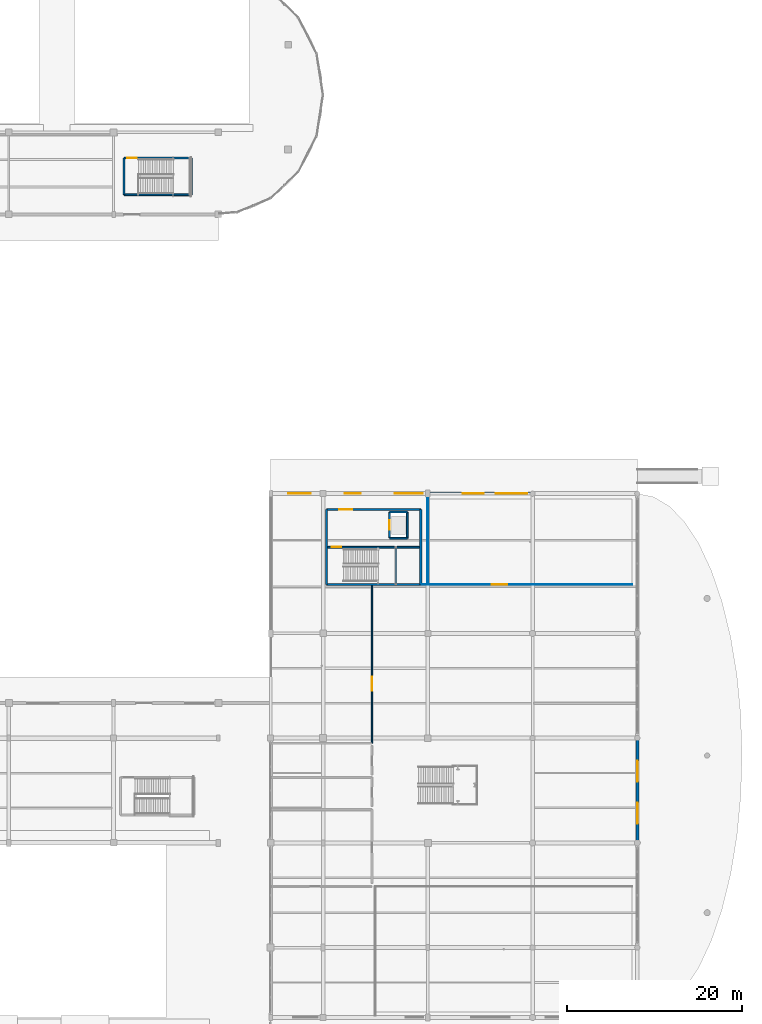
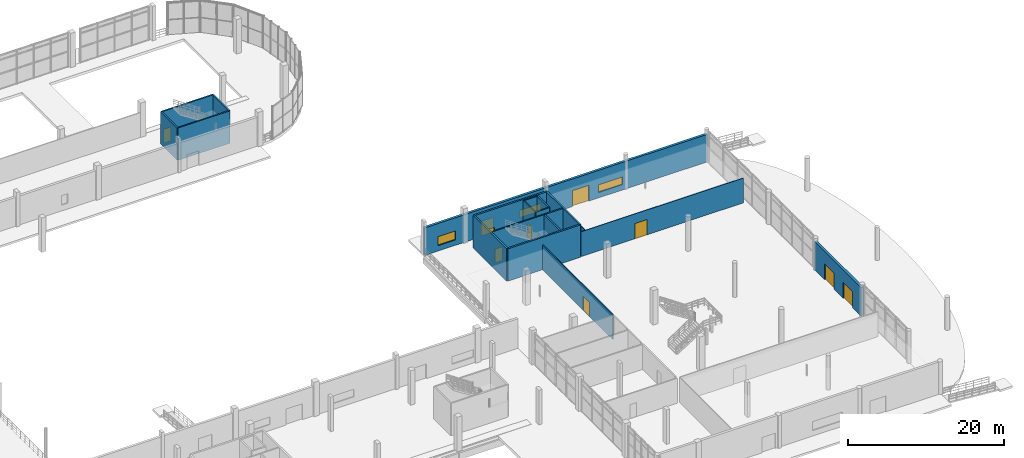
# One storey, part 66 of 85: 19 walls, 10 doors, 3 windows, 13 openings.
"""IFC4 building model written with IfcOpenShell, lengths in metres."""

from ifc_helpers import new_model, si_unit, direction, frame, frame_2d, origin, place, context, subcontext, project, spatial, rectangle, extrude, material, layer, layer_set, type_object, element, fill, save


model = new_model("IFC4")

# Units and contexts
model_context = context("Model", 3, precision=1e-05, world=origin(), true_north=direction((0.0, 1.0)))
body_context = subcontext(model_context, "Body", "Model", "MODEL_VIEW")
ifc_project = project(units=[si_unit("LENGTHUNIT", "METRE"), si_unit("AREAUNIT", "SQUARE_METRE"), si_unit("VOLUMEUNIT", "CUBIC_METRE"), si_unit("PLANEANGLEUNIT", "RADIAN"), si_unit("MASSUNIT", "GRAM", prefix="KILO"), si_unit("THERMODYNAMICTEMPERATUREUNIT", "KELVIN"), si_unit("POWERUNIT", "WATT")], contexts=[model_context])

# Site, building, storey
site_placement = place(None, origin())
site = spatial("IfcSite", under=ifc_project, at=site_placement, CompositionType="ELEMENT")
building_placement = place(site_placement, origin())
building = spatial("IfcBuilding", under=site, at=building_placement, Name="Solmara Park Aquatics Centre", CompositionType="ELEMENT")
storey_placement = place(building_placement, origin())
storey = spatial("IfcBuildingStorey", under=building, at=storey_placement, Name="L00", CompositionType="ELEMENT", Elevation=0.0)

# Wall
ifc_material_1 = material(Name="Concrete C40/50", Category="concrete")
ifc_layer_1 = layer(ifc_material_1, 0.25, Name="Concrete C40/50")
ifc_layer_set_1 = layer_set([ifc_layer_1], Name="Concrete C40/50")
wall_type_1 = type_object("IfcWallType", Name="ARC-WL-CORE250", PredefinedType="SHEAR", material=ifc_layer_set_1)
wall_1_placement = place(storey_placement, frame((168.39990234375, 66.199951171875, 0.0), z_axis=(0.0, 0.0, 1.0), x_axis=(1.0, 0.0, 0.0)))
element("IfcWall", 1, at=wall_1_placement, inside=storey, type_object=wall_type_1, Name="CORE-5 Core Wall S L00", PredefinedType="SHEAR", context=body_context, shape_type="SweptSolid", body=[
    extrude(rectangle(XDim=10.800048828125, YDim=0.25, at=frame_2d((5.39990234375, 0.0))), origin(), (0.0, 0.0, 1.0), 5.080078125),
])

# Wall, opening, door
wall_2_placement = place(storey_placement, frame((168.39990234375, 74.800048828125, 0.0), z_axis=(0.0, 0.0, 1.0), x_axis=(1.0, 0.0, 0.0)))
wall_2 = element("IfcWall", 2, at=wall_2_placement, inside=storey, type_object=wall_type_1, Name="CORE-5 Core Wall N L00", PredefinedType="SHEAR", context=body_context, shape_type="SweptSolid", body=[
    extrude(rectangle(XDim=10.800048828125, YDim=0.25, at=frame_2d((5.39990234375, 0.0))), origin(), (0.0, 0.0, 1.0), 5.080078125),
])
opening_1_placement = place(wall_2_placement, frame((1.449951171875, 0.0, 0.0)))
opening_1 = element("IfcOpeningElement", 3, at=opening_1_placement, cuts=wall_2, Name="Opening D-12", PredefinedType="OPENING", context=body_context, shape_type="SweptSolid", body=[
    extrude(rectangle(XDim=1.5, YDim=2.199951171875, at=frame_2d((0.75, 1.10009765625))), frame((0.0, 0.135009765625, 0.0), z_axis=(0.0, -1.0, 0.0), x_axis=(1.0, 0.0, 0.0)), (0.0, 0.0, 1.0), 0.27001953125),
])
ifc_material_2 = material(Name="Moisture-Resistant HPL & Hardwood", Category="wood")
door_type_1 = type_object("IfcDoorType", Name="ARC-DR-FD150x220", OperationType="DOUBLE_DOOR_SINGLE_SWING", PredefinedType="DOOR", material=ifc_material_2)
door_1_placement = place(opening_1_placement, origin())
door_1 = element("IfcDoor", 4, at=door_1_placement, inside=storey, type_object=door_type_1, Name="CORE-5 Lobby Entry Fire Door L00", OperationType="DOUBLE_DOOR_SINGLE_SWING", OverallHeight=2.199951171875, OverallWidth=1.5, PredefinedType="DOOR", context=body_context, shape_type="SweptSolid", body=[
    extrude(rectangle(XDim=1.5, YDim=2.199951171875, at=frame_2d((0.75, 1.10009765625))), frame((0.0, 0.02490234375, 0.0), z_axis=(0.0, -1.0, 0.0), x_axis=(1.0, 0.0, 0.0)), (0.0, 0.0, 1.0), 0.050048828125),
])
fill(opening_1, door_1)

# Walls
for number, where, z_axis, x_axis, name in (
    (5, (168.39990234375, 66.199951171875, 0.0), (0.0, 0.0, 1.0), (0.0, 1.0, 0.0), "CORE-5 Core Wall W L00"),
    (6, (179.199951171875, 66.199951171875, 0.0), (0.0, 0.0, 1.0), (0.0, 1.0, 0.0), "CORE-5 Core Wall E L00"),
):
    element("IfcWall", number, at=place(storey_placement, frame(where, z_axis=z_axis, x_axis=x_axis)), inside=storey, type_object=wall_type_1, Name=name, PredefinedType="SHEAR", context=body_context, shape_type="SweptSolid", body=[
        extrude(rectangle(XDim=8.60009765625, YDim=0.25, at=frame_2d((4.300048828125, 0.0))), origin(), (0.0, 0.0, 1.0), 5.080078125),
    ])

# Wall, openings, doors
ifc_material_3 = material(Name="Insulated Limestone Render Wall", Category="masonry")
ifc_layer_2 = layer(ifc_material_3, 0.35009765625, Name="Insulated Limestone Render Wall")
ifc_layer_set_2 = layer_set([ifc_layer_2], Name="Insulated Limestone Render Wall")
wall_type_2 = type_object("IfcWallType", Name="ARC-WL-EXT350", PredefinedType="SOLIDWALL", material=ifc_layer_set_2)
wall_3_placement = place(storey_placement, frame((204.0, 36.60009765625, 0.0), z_axis=(0.0, 0.0, 1.0), x_axis=(0.0, 1.0, 0.0)))
wall_3 = element("IfcWall", 7, at=wall_3_placement, inside=storey, type_object=wall_type_2, Name="Exterior Facade Wall EW-L00-006", PredefinedType="SOLIDWALL", context=body_context, shape_type="SweptSolid", body=[
    extrude(rectangle(XDim=12.0, YDim=0.35009765625, at=frame_2d((6.0, 0.0))), origin(), (0.0, 0.0, 1.0), 4.47998046875),
])
opening_2_placement = place(wall_3_placement, frame((2.199951171875, 0.0, 0.0)))
opening_2 = element("IfcOpeningElement", 8, at=opening_2_placement, cuts=wall_3, Name="Opening D-01", PredefinedType="OPENING", context=body_context, shape_type="SweptSolid", body=[
    extrude(rectangle(XDim=2.39990234375, YDim=2.5, at=frame_2d((1.199951171875, 1.25))), frame((0.0, 0.18505859375, 0.0), z_axis=(0.0, -1.0, 0.0), x_axis=(1.0, 0.0, 0.0)), (0.0, 0.0, 1.0), 0.3701171875),
])
opening_3_placement = place(wall_3_placement, frame((7.0, 0.0, 0.0)))
opening_3 = element("IfcOpeningElement", 9, at=opening_3_placement, cuts=wall_3, Name="Opening D-01", PredefinedType="OPENING", context=body_context, shape_type="SweptSolid", body=[
    extrude(rectangle(XDim=2.39990234375, YDim=2.5, at=frame_2d((1.199951171875, 1.25))), frame((0.0, 0.18505859375, 0.0), z_axis=(0.0, -1.0, 0.0), x_axis=(1.0, 0.0, 0.0)), (0.0, 0.0, 1.0), 0.3701171875),
])
ifc_material_4 = material(Name="Thermally Broken Powder-Coated Aluminium and Laminated Glass", Category="aluminium")
door_type_2 = type_object("IfcDoorType", Name="ARC-DR-EXT240x250", OperationType="DOUBLE_DOOR_SINGLE_SWING", PredefinedType="DOOR", material=ifc_material_4)
door_2_placement = place(opening_2_placement, frame((2.39990234375, 0.0, 0.0), z_axis=(0.0, 0.0, 1.0), x_axis=(-1.0, 0.0, 0.0)))
door_2 = element("IfcDoor", 10, at=door_2_placement, inside=storey, type_object=door_type_2, Name="Main Park Entrance Portal North (EX-06)", OperationType="DOUBLE_DOOR_SINGLE_SWING", OverallHeight=2.5, OverallWidth=2.39990234375, PredefinedType="DOOR", context=body_context, shape_type="SweptSolid", body=[
    extrude(rectangle(XDim=2.39990234375, YDim=2.5, at=frame_2d((1.199951171875, 1.25))), frame((0.0, 0.02490234375, 0.0), z_axis=(0.0, -1.0, 0.0), x_axis=(1.0, 0.0, 0.0)), (0.0, 0.0, 1.0), 0.050048828125),
])
fill(opening_2, door_2)
door_3_placement = place(opening_3_placement, frame((2.39990234375, 0.0, 0.0), z_axis=(0.0, 0.0, 1.0), x_axis=(-1.0, 0.0, 0.0)))
door_3 = element("IfcDoor", 11, at=door_3_placement, inside=storey, type_object=door_type_2, Name="Main Park Entrance Portal South (EX-07)", OperationType="DOUBLE_DOOR_SINGLE_SWING", OverallHeight=2.5, OverallWidth=2.39990234375, PredefinedType="DOOR", context=body_context, shape_type="SweptSolid", body=[
    extrude(rectangle(XDim=2.39990234375, YDim=2.5, at=frame_2d((1.199951171875, 1.25))), frame((0.0, 0.02490234375, 0.0), z_axis=(0.0, -1.0, 0.0), x_axis=(1.0, 0.0, 0.0)), (0.0, 0.0, 1.0), 0.050048828125),
])
fill(opening_3, door_3)

# Wall, openings, doors, windows
wall_4_placement = place(storey_placement, frame((162.0, 76.60009765625, 0.0), z_axis=(0.0, 0.0, 1.0), x_axis=(1.0, 0.0, 0.0)))
wall_4 = element("IfcWall", 12, at=wall_4_placement, inside=storey, type_object=wall_type_2, Name="Exterior Facade Wall EW-L00-009", PredefinedType="SOLIDWALL", context=body_context, shape_type="SweptSolid", body=[
    extrude(rectangle(XDim=42.0, YDim=0.35009765625, at=frame_2d((21.0, 0.0))), origin(), (0.0, 0.0, 1.0), 4.330078125),
])
opening_4_placement = place(wall_4_placement, frame((8.5, 0.0, 0.0)))
opening_4 = element("IfcOpeningElement", 13, at=opening_4_placement, cuts=wall_4, Name="Opening D-03", PredefinedType="OPENING", context=body_context, shape_type="SweptSolid", body=[
    extrude(rectangle(XDim=1.800048828125, YDim=2.300048828125, at=frame_2d((0.89990234375, 1.14990234375))), frame((0.0, 0.18505859375, 0.0), z_axis=(0.0, -1.0, 0.0), x_axis=(1.0, 0.0, 0.0)), (0.0, 0.0, 1.0), 0.3701171875),
])
opening_5_placement = place(wall_4_placement, frame((22.0, 0.0, 0.0)))
opening_5 = element("IfcOpeningElement", 14, at=opening_5_placement, cuts=wall_4, Name="Opening D-01", PredefinedType="OPENING", context=body_context, shape_type="SweptSolid", body=[
    extrude(rectangle(XDim=2.39990234375, YDim=2.5, at=frame_2d((1.199951171875, 1.25))), frame((0.0, 0.18505859375, 0.0), z_axis=(0.0, -1.0, 0.0), x_axis=(1.0, 0.0, 0.0)), (0.0, 0.0, 1.0), 0.3701171875),
])
opening_6_placement = place(wall_4_placement, frame((2.0, 0.0, 0.85009765625)))
opening_6 = element("IfcOpeningElement", 15, at=opening_6_placement, cuts=wall_4, Name="Opening W-29", PredefinedType="OPENING", context=body_context, shape_type="SweptSolid", body=[
    extrude(rectangle(XDim=2.60009765625, YDim=1.39990234375, at=frame_2d((1.300048828125, 0.699951171875))), frame((0.0, 0.18505859375, 0.0), z_axis=(0.0, -1.0, 0.0), x_axis=(1.0, 0.0, 0.0)), (0.0, 0.0, 1.0), 0.3701171875),
])
opening_7_placement = place(wall_4_placement, frame((14.199951171875, 0.0, 0.85009765625)))
opening_7 = element("IfcOpeningElement", 16, at=opening_7_placement, cuts=wall_4, Name="Opening W-04", PredefinedType="OPENING", context=body_context, shape_type="SweptSolid", body=[
    extrude(rectangle(XDim=3.199951171875, YDim=1.199951171875, at=frame_2d((1.60009765625, 0.60009765625))), frame((0.0, 0.18505859375, 0.0), z_axis=(0.0, -1.0, 0.0), x_axis=(1.0, 0.0, 0.0)), (0.0, 0.0, 1.0), 0.3701171875),
])
opening_8_placement = place(wall_4_placement, frame((25.800048828125, 0.0, 0.85009765625)))
opening_8 = element("IfcOpeningElement", 17, at=opening_8_placement, cuts=wall_4, Name="Opening W-03", PredefinedType="OPENING", context=body_context, shape_type="SweptSolid", body=[
    extrude(rectangle(XDim=3.60009765625, YDim=1.199951171875, at=frame_2d((1.800048828125, 0.60009765625))), frame((0.0, 0.18505859375, 0.0), z_axis=(0.0, -1.0, 0.0), x_axis=(1.0, 0.0, 0.0)), (0.0, 0.0, 1.0), 0.3701171875),
])
door_type_3 = type_object("IfcDoorType", Name="ARC-DR-EXT180x230", OperationType="DOUBLE_DOOR_SINGLE_SWING", PredefinedType="DOOR", material=ifc_material_4)
door_4_placement = place(opening_4_placement, origin())
door_4 = element("IfcDoor", 18, at=door_4_placement, inside=storey, type_object=door_type_3, Name="Foyer Core ST-05 Final Exit (EX-11)", OperationType="DOUBLE_DOOR_SINGLE_SWING", OverallHeight=2.300048828125, OverallWidth=1.800048828125, PredefinedType="DOOR", context=body_context, shape_type="SweptSolid", body=[
    extrude(rectangle(XDim=1.800048828125, YDim=2.300048828125, at=frame_2d((0.89990234375, 1.14990234375))), frame((0.0, 0.02490234375, 0.0), z_axis=(0.0, -1.0, 0.0), x_axis=(1.0, 0.0, 0.0)), (0.0, 0.0, 1.0), 0.050048828125),
])
fill(opening_4, door_4)
door_5_placement = place(opening_5_placement, origin())
door_5 = element("IfcDoor", 19, at=door_5_placement, inside=storey, type_object=door_type_2, Name="Foyer North Boulevard Plaza Exit (EX-12)", OperationType="DOUBLE_DOOR_SINGLE_SWING", OverallHeight=2.5, OverallWidth=2.39990234375, PredefinedType="DOOR", context=body_context, shape_type="SweptSolid", body=[
    extrude(rectangle(XDim=2.39990234375, YDim=2.5, at=frame_2d((1.199951171875, 1.25))), frame((0.0, 0.02490234375, 0.0), z_axis=(0.0, -1.0, 0.0), x_axis=(1.0, 0.0, 0.0)), (0.0, 0.0, 1.0), 0.050048828125),
])
fill(opening_5, door_5)
ifc_material_5 = material(Name="Thermally Broken Aluminium and Low-E Double Glazing", Category="aluminium")
window_type_1 = type_object("IfcWindowType", Name="ARC-WN-260x140", PartitioningType="DOUBLE_PANEL_VERTICAL", PredefinedType="WINDOW", material=ifc_material_5)
window_1_placement = place(opening_6_placement, origin())
window_1 = element("IfcWindow", 20, at=window_1_placement, inside=storey, type_object=window_type_1, Name="Ribbon Window WN-019", OverallHeight=1.39990234375, OverallWidth=2.60009765625, PartitioningType="DOUBLE_PANEL_VERTICAL", PredefinedType="WINDOW", context=body_context, shape_type="SweptSolid", body=[
    extrude(rectangle(XDim=2.60009765625, YDim=1.39990234375, at=frame_2d((1.300048828125, 0.699951171875))), frame((0.0, 0.030029296875, 0.0), z_axis=(0.0, -1.0, 0.0), x_axis=(1.0, 0.0, 0.0)), (0.0, 0.0, 1.0), 0.06005859375),
])
fill(opening_6, window_1)
window_type_2 = type_object("IfcWindowType", Name="ARC-WN-320x120", PartitioningType="DOUBLE_PANEL_HORIZONTAL", PredefinedType="WINDOW", material=ifc_material_5)
window_2_placement = place(opening_7_placement, origin())
window_2 = element("IfcWindow", 21, at=window_2_placement, inside=storey, type_object=window_type_2, Name="Ribbon Window WN-020", OverallHeight=1.199951171875, OverallWidth=3.199951171875, PartitioningType="DOUBLE_PANEL_HORIZONTAL", PredefinedType="WINDOW", context=body_context, shape_type="SweptSolid", body=[
    extrude(rectangle(XDim=3.199951171875, YDim=1.199951171875, at=frame_2d((1.60009765625, 0.60009765625))), frame((0.0, 0.030029296875, 0.0), z_axis=(0.0, -1.0, 0.0), x_axis=(1.0, 0.0, 0.0)), (0.0, 0.0, 1.0), 0.06005859375),
])
fill(opening_7, window_2)
window_type_3 = type_object("IfcWindowType", Name="ARC-WN-360x120", PartitioningType="TRIPLE_PANEL_HORIZONTAL", PredefinedType="WINDOW", material=ifc_material_5)
window_3_placement = place(opening_8_placement, origin())
window_3 = element("IfcWindow", 22, at=window_3_placement, inside=storey, type_object=window_type_3, Name="Ribbon Window WN-021", OverallHeight=1.199951171875, OverallWidth=3.60009765625, PartitioningType="TRIPLE_PANEL_HORIZONTAL", PredefinedType="WINDOW", context=body_context, shape_type="SweptSolid", body=[
    extrude(rectangle(XDim=3.60009765625, YDim=1.199951171875, at=frame_2d((1.800048828125, 0.60009765625))), frame((0.0, 0.030029296875, 0.0), z_axis=(0.0, -1.0, 0.0), x_axis=(1.0, 0.0, 0.0)), (0.0, 0.0, 1.0), 0.06005859375),
])
fill(opening_8, window_3)

# Wall, opening, door
ifc_material_6 = material(Name="Acoustic Laminated Glass Framed Partition", Category="glass")
ifc_layer_3 = layer(ifc_material_6, 0.10009765625, Name="Acoustic Laminated Glass Framed Partition")
ifc_layer_set_3 = layer_set([ifc_layer_3], Name="Acoustic Laminated Glass Framed Partition")
wall_type_3 = type_object("IfcWallType", Name="ARC-WL-GLZ100", PredefinedType="PARTITIONING", material=ifc_layer_set_3)
wall_5_placement = place(storey_placement, frame((179.324951171875, 66.199951171875, 0.0), z_axis=(0.0, 0.0, 1.0), x_axis=(1.0, 0.0, 0.0)))
wall_5 = element("IfcWall", 23, at=wall_5_placement, inside=storey, type_object=wall_type_3, Name="Interior Partition IW-L00-0052 (L00-RET-01)", PredefinedType="PARTITIONING", context=body_context, shape_type="SweptSolid", body=[
    extrude(rectangle(XDim=24.074951171875, YDim=0.10009765625, at=frame_2d((12.03759765625, 0.0))), origin(), (0.0, 0.0, 1.0), 3.89990234375),
])
opening_9_placement = place(wall_5_placement, frame((8.0, 0.0, 0.0)))
opening_9 = element("IfcOpeningElement", 24, at=opening_9_placement, cuts=wall_5, Name="Opening D-21", PredefinedType="OPENING", context=body_context, shape_type="SweptSolid", body=[
    extrude(rectangle(XDim=1.800048828125, YDim=2.39990234375, at=frame_2d((0.89990234375, 1.199951171875))), frame((0.0, 0.06005859375, 0.0), z_axis=(0.0, -1.0, 0.0), x_axis=(1.0, 0.0, 0.0)), (0.0, 0.0, 1.0), 0.1201171875),
])
door_type_4 = type_object("IfcDoorType", Name="ARC-DR-GLZ180x240", OperationType="DOUBLE_DOOR_SINGLE_SWING", PredefinedType="DOOR", material=ifc_material_2)
door_6_placement = place(opening_9_placement, origin())
door_6 = element("IfcDoor", 25, at=door_6_placement, inside=storey, type_object=door_type_4, Name="Swimwear and Aquatic Equipment Pro Shop Door", OperationType="DOUBLE_DOOR_SINGLE_SWING", OverallHeight=2.39990234375, OverallWidth=1.800048828125, PredefinedType="DOOR", context=body_context, shape_type="SweptSolid", body=[
    extrude(rectangle(XDim=1.800048828125, YDim=2.39990234375, at=frame_2d((0.89990234375, 1.199951171875))), frame((0.0, 0.02490234375, 0.0), z_axis=(0.0, -1.0, 0.0), x_axis=(1.0, 0.0, 0.0)), (0.0, 0.0, 1.0), 0.050048828125),
])
fill(opening_9, door_6)

# Wall
wall_6_placement = place(storey_placement, frame((180.0, 66.199951171875, 0.0), z_axis=(0.0, 0.0, 1.0), x_axis=(0.0, 1.0, 0.0)))
element("IfcWall", 26, at=wall_6_placement, inside=storey, type_object=wall_type_3, Name="Interior Partition IW-L00-0053 (L00-RET-01)", PredefinedType="PARTITIONING", context=body_context, shape_type="SweptSolid", body=[
    extrude(rectangle(XDim=10.22509765625, YDim=0.10009765625, at=frame_2d((5.112548828125, 0.0))), origin(), (0.0, 0.0, 1.0), 3.89990234375),
])

# Wall, opening, door
ifc_material_7 = material(Name="Cement-Rendered Masonry Partition", Category="masonry")
ifc_layer_4 = layer(ifc_material_7, 0.14990234375, Name="Cement-Rendered Masonry Partition")
ifc_layer_set_4 = layer_set([ifc_layer_4], Name="Cement-Rendered Masonry Partition")
wall_type_4 = type_object("IfcWallType", Name="ARC-WL-MAS150", PredefinedType="PARTITIONING", material=ifc_layer_set_4)
wall_7_placement = place(storey_placement, frame((173.60009765625, 48.0, 0.0), z_axis=(0.0, 0.0, 1.0), x_axis=(0.0, 1.0, 0.0)))
wall_7 = element("IfcWall", 27, at=wall_7_placement, inside=storey, type_object=wall_type_4, Name="Interior Partition IW-L00-0054 (L00-COM-01)", PredefinedType="PARTITIONING", context=body_context, shape_type="SweptSolid", body=[
    extrude(rectangle(XDim=18.074951171875, YDim=0.14990234375, at=frame_2d((9.03759765625, 0.0))), origin(), (0.0, 0.0, 1.0), 3.89990234375),
])
opening_10_placement = place(wall_7_placement, frame((6.0, 0.0, 0.0)))
opening_10 = element("IfcOpeningElement", 28, at=opening_10_placement, cuts=wall_7, Name="Opening D-19", PredefinedType="OPENING", context=body_context, shape_type="SweptSolid", body=[
    extrude(rectangle(XDim=1.60009765625, YDim=2.199951171875, at=frame_2d((0.800048828125, 1.10009765625))), frame((0.0, 0.0849609375, 0.0), z_axis=(0.0, -1.0, 0.0), x_axis=(1.0, 0.0, 0.0)), (0.0, 0.0, 1.0), 0.169921875),
])
door_type_5 = type_object("IfcDoorType", Name="ARC-DR-DBL160x220", OperationType="DOUBLE_DOOR_SINGLE_SWING", PredefinedType="DOOR", material=ifc_material_2)
door_7_placement = place(opening_10_placement, origin())
door_7 = element("IfcDoor", 29, at=door_7_placement, inside=storey, type_object=door_type_5, Name="Community Club Reception and Multipurpose Studio Door", OperationType="DOUBLE_DOOR_SINGLE_SWING", OverallHeight=2.199951171875, OverallWidth=1.60009765625, PredefinedType="DOOR", context=body_context, shape_type="SweptSolid", body=[
    extrude(rectangle(XDim=1.60009765625, YDim=2.199951171875, at=frame_2d((0.800048828125, 1.10009765625))), frame((0.0, 0.02490234375, 0.0), z_axis=(0.0, -1.0, 0.0), x_axis=(1.0, 0.0, 0.0)), (0.0, 0.0, 1.0), 0.050048828125),
])
fill(opening_10, door_7)

ifc_material_8 = material(Name="Concrete C35/45", Category="concrete")
ifc_layer_5 = layer(ifc_material_8, 0.199951171875, Name="Concrete C35/45")
ifc_layer_set_5 = layer_set([ifc_layer_5], Name="Concrete C35/45")
wall_type_5 = type_object("IfcWallType", Name="STR-WL-STAIR200", PredefinedType="SHEAR", material=ifc_layer_set_5)
wall_8_placement = place(storey_placement, frame((168.52001953125, 70.47509765625, 0.0), z_axis=(0.0, 0.0, 1.0), x_axis=(1.0, 0.0, 0.0)))
wall_8 = element("IfcWall", 30, at=wall_8_placement, inside=storey, type_object=wall_type_5, Name="CORE-5 Stairwell Compartment Wall L00", PredefinedType="SHEAR", context=body_context, shape_type="SweptSolid", body=[
    extrude(rectangle(XDim=10.56005859375, YDim=0.199951171875, at=frame_2d((5.280029296875, 0.0))), origin(), (0.0, 0.0, 1.0), 5.080078125),
])
opening_11_placement = place(wall_8_placement, frame((0.47998046875, 0.0, 0.0)))
opening_11 = element("IfcOpeningElement", 31, at=opening_11_placement, cuts=wall_8, Name="Opening D-11", PredefinedType="OPENING", context=body_context, shape_type="SweptSolid", body=[
    extrude(rectangle(XDim=1.10009765625, YDim=2.199951171875, at=frame_2d((0.550048828125, 1.10009765625))), frame((0.0, 0.10986328125, 0.0), z_axis=(0.0, -1.0, 0.0), x_axis=(1.0, 0.0, 0.0)), (0.0, 0.0, 1.0), 0.219970703125),
])
door_type_6 = type_object("IfcDoorType", Name="ARC-DR-FD110x220", OperationType="NOTDEFINED", PredefinedType="DOOR", material=ifc_material_2)
door_8_placement = place(opening_11_placement, frame((1.10009765625, 0.0, 0.0), z_axis=(0.0, 0.0, 1.0), x_axis=(-1.0, 0.0, 0.0)))
door_8 = element("IfcDoor", 32, at=door_8_placement, inside=storey, type_object=door_type_6, Name="ST-05 Fire Door L00", OperationType="SINGLE_SWING_LEFT", OverallHeight=2.199951171875, OverallWidth=1.10009765625, PredefinedType="DOOR", context=body_context, shape_type="SweptSolid", body=[
    extrude(rectangle(XDim=1.10009765625, YDim=2.199951171875, at=frame_2d((0.550048828125, 1.10009765625))), frame((0.0, 0.02490234375, 0.0), z_axis=(0.0, -1.0, 0.0), x_axis=(1.0, 0.0, 0.0)), (0.0, 0.0, 1.0), 0.050048828125),
])
fill(opening_11, door_8)

# Wall
wall_9_placement = place(storey_placement, frame((176.360107421875, 66.320068359375, 0.0), z_axis=(0.0, 0.0, 1.0), x_axis=(0.0, 1.0, 0.0)))
element("IfcWall", 33, at=wall_9_placement, inside=storey, type_object=wall_type_5, Name="CORE-5 Stairwell East End Wall L00", PredefinedType="SHEAR", context=body_context, shape_type="SweptSolid", body=[
    extrude(rectangle(XDim=4.054931640625, YDim=0.199951171875, at=frame_2d((2.02734375, 0.0))), origin(), (0.0, 0.0, 1.0), 5.080078125),
])

# Wall, opening, door
wall_10_placement = place(storey_placement, frame((175.6201171875, 71.5, 0.0), z_axis=(0.0, 0.0, 1.0), x_axis=(0.0, 1.0, 0.0)))
wall_10 = element("IfcWall", 34, at=wall_10_placement, inside=storey, type_object=wall_type_5, Name="CORE-5 Lift Shaft Front Wall L00", PredefinedType="SHEAR", context=body_context, shape_type="SweptSolid", body=[
    extrude(rectangle(XDim=3.0, YDim=0.199951171875, at=frame_2d((1.5, 0.0))), origin(), (0.0, 0.0, 1.0), 5.080078125),
])
opening_12_placement = place(wall_10_placement, frame((0.949951171875, 0.0, 0.0)))
opening_12 = element("IfcOpeningElement", 35, at=opening_12_placement, cuts=wall_10, Name="Opening D-09", PredefinedType="OPENING", context=body_context, shape_type="SweptSolid", body=[
    extrude(rectangle(XDim=1.10009765625, YDim=2.199951171875, at=frame_2d((0.550048828125, 1.10009765625))), frame((0.0, 0.10986328125, 0.0), z_axis=(0.0, -1.0, 0.0), x_axis=(1.0, 0.0, 0.0)), (0.0, 0.0, 1.0), 0.219970703125),
])
ifc_material_9 = material(Name="Stainless Steel", Category="steel")
door_type_7 = type_object("IfcDoorType", Name="ARC-DR-LD110x220", OperationType="DOUBLE_DOOR_SLIDING", PredefinedType="DOOR", material=ifc_material_9)
door_9_placement = place(opening_12_placement, origin())
door_9 = element("IfcDoor", 36, at=door_9_placement, inside=storey, type_object=door_type_7, Name="LF-07 Lift Landing Door L00", OperationType="DOUBLE_DOOR_SLIDING", OverallHeight=2.199951171875, OverallWidth=1.10009765625, PredefinedType="DOOR", context=body_context, shape_type="SweptSolid", body=[
    extrude(rectangle(XDim=1.10009765625, YDim=2.199951171875, at=frame_2d((0.550048828125, 1.10009765625))), frame((0.0, 0.02490234375, 0.0), z_axis=(0.0, -1.0, 0.0), x_axis=(1.0, 0.0, 0.0)), (0.0, 0.0, 1.0), 0.050048828125),
])
fill(opening_12, door_9)

# Walls
wall_11_placement = place(storey_placement, frame((177.64990234375, 71.5, 0.0), z_axis=(0.0, 0.0, 1.0), x_axis=(0.0, 1.0, 0.0)))
element("IfcWall", 37, at=wall_11_placement, inside=storey, type_object=wall_type_5, Name="LF-07 Lift Shaft East Wall L00", PredefinedType="SHEAR", context=body_context, shape_type="SweptSolid", body=[
    extrude(rectangle(XDim=3.0, YDim=0.199951171875, at=frame_2d((1.5, 0.0))), origin(), (0.0, 0.0, 1.0), 5.080078125),
])
for number, where, z_axis, x_axis, name in (
    (38, (175.6201171875, 71.5, 0.0), (0.0, 0.0, 1.0), (1.0, 0.0, 0.0), "LF-07 Lift Shaft South Wall L00"),
    (39, (175.6201171875, 74.5, 0.0), (0.0, 0.0, 1.0), (1.0, 0.0, 0.0), "LF-07 Lift Shaft North Wall L00"),
):
    element("IfcWall", number, at=place(storey_placement, frame(where, z_axis=z_axis, x_axis=x_axis)), inside=storey, type_object=wall_type_5, Name=name, PredefinedType="SHEAR", context=body_context, shape_type="SweptSolid", body=[
        extrude(rectangle(XDim=2.02978515625, YDim=0.199951171875, at=frame_2d((1.014892578125, 0.0))), origin(), (0.0, 0.0, 1.0), 5.080078125),
    ])
wall_12_placement = place(storey_placement, frame((145.199951171875, 110.85009765625, 0.0), z_axis=(0.0, 0.0, 1.0), x_axis=(1.0, 0.0, 0.0)))
element("IfcWall", 40, at=wall_12_placement, inside=storey, type_object=wall_type_5, Name="ST07 Escape Stair Wall S L00", PredefinedType="SHEAR", context=body_context, shape_type="SweptSolid", body=[
    extrude(rectangle(XDim=7.699951171875, YDim=0.199951171875, at=frame_2d((3.85009765625, 0.0))), origin(), (0.0, 0.0, 1.0), 5.080078125),
])

# Wall, opening, door
wall_13_placement = place(storey_placement, frame((145.199951171875, 115.050048828125, 0.0), z_axis=(0.0, 0.0, 1.0), x_axis=(1.0, 0.0, 0.0)))
wall_13 = element("IfcWall", 41, at=wall_13_placement, inside=storey, type_object=wall_type_5, Name="ST07 Escape Stair Wall N L00", PredefinedType="SHEAR", context=body_context, shape_type="SweptSolid", body=[
    extrude(rectangle(XDim=7.699951171875, YDim=0.199951171875, at=frame_2d((3.85009765625, 0.0))), origin(), (0.0, 0.0, 1.0), 5.080078125),
])
opening_13_placement = place(wall_13_placement, frame((0.35009765625, 0.0, 0.0)))
opening_13 = element("IfcOpeningElement", 42, at=opening_13_placement, cuts=wall_13, Name="Opening D-11", PredefinedType="OPENING", context=body_context, shape_type="SweptSolid", body=[
    extrude(rectangle(XDim=1.10009765625, YDim=2.199951171875, at=frame_2d((0.550048828125, 1.10009765625))), frame((0.0, 0.10986328125, 0.0), z_axis=(0.0, -1.0, 0.0), x_axis=(1.0, 0.0, 0.0)), (0.0, 0.0, 1.0), 0.219970703125),
])
door_10_placement = place(opening_13_placement, origin())
door_10 = element("IfcDoor", 43, at=door_10_placement, inside=storey, type_object=door_type_6, Name="ST07 Escape Stair Entry Door L00", OperationType="SINGLE_SWING_RIGHT", OverallHeight=2.199951171875, OverallWidth=1.10009765625, PredefinedType="DOOR", context=body_context, shape_type="SweptSolid", body=[
    extrude(rectangle(XDim=1.10009765625, YDim=2.199951171875, at=frame_2d((0.550048828125, 1.10009765625))), frame((0.0, 0.02490234375, 0.0), z_axis=(0.0, -1.0, 0.0), x_axis=(1.0, 0.0, 0.0)), (0.0, 0.0, 1.0), 0.050048828125),
])
fill(opening_13, door_10)

# Walls
for number, where, z_axis, x_axis, name in (
    (44, (145.199951171875, 110.85009765625, 0.0), (0.0, 0.0, 1.0), (0.0, 1.0, 0.0), "ST07 Escape Stair Wall W L00"),
    (45, (152.89990234375, 110.85009765625, 0.0), (0.0, 0.0, 1.0), (0.0, 1.0, 0.0), "ST07 Escape Stair Wall E L00"),
):
    element("IfcWall", number, at=place(storey_placement, frame(where, z_axis=z_axis, x_axis=x_axis)), inside=storey, type_object=wall_type_5, Name=name, PredefinedType="SHEAR", context=body_context, shape_type="SweptSolid", body=[
        extrude(rectangle(XDim=4.199951171875, YDim=0.199951171875, at=frame_2d((2.10009765625, 0.0))), origin(), (0.0, 0.0, 1.0), 5.080078125),
    ])

save(model, "model.ifc")
